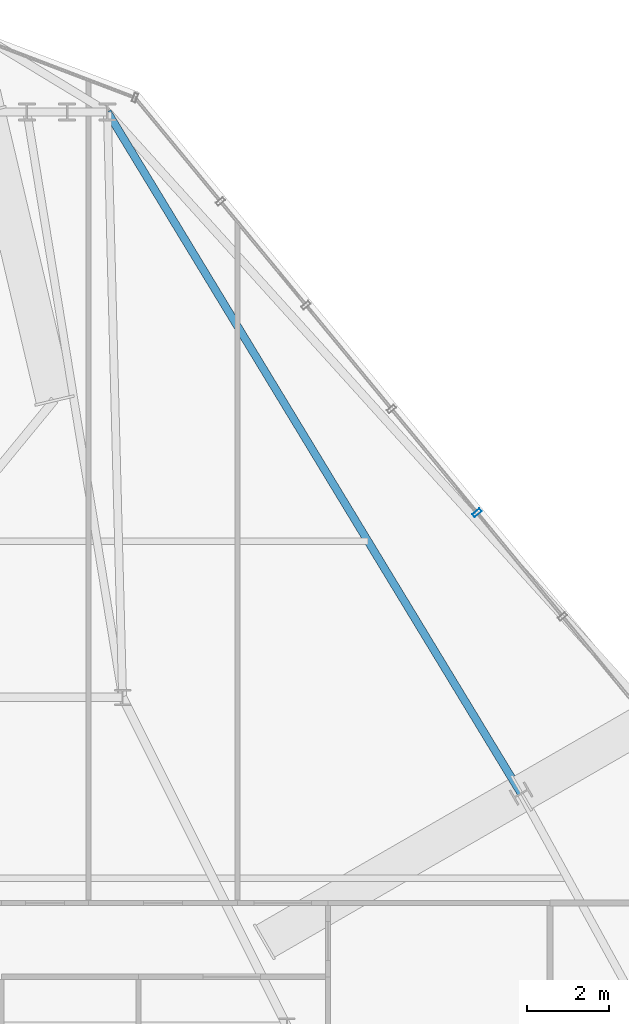
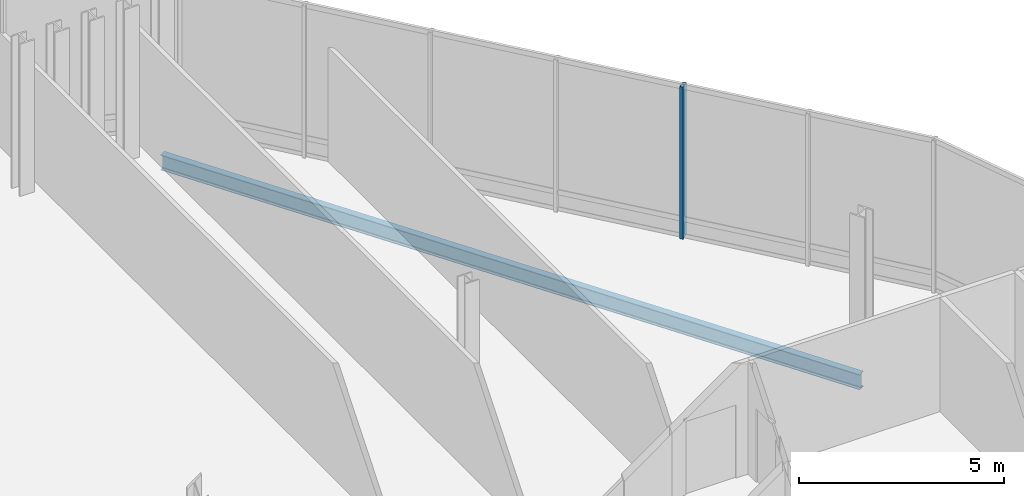
# One storey, part 19 of 29: 1 beam, 1 member, 1 element without a shape of its own.
"""IFC4 building model written with IfcOpenShell, lengths in metres."""

from ifc_helpers import new_model, si_unit, direction, frame, origin, origin_2d, place, context, subcontext, project, spatial, hollow_rectangle, i_section, extrude, material, layer, layer_set, material_profile, profile_set, type_object, element, aggregate, save


model = new_model("IFC4")

# Units and contexts
model_context = context("Model", 3, precision=1e-05, world=origin(), true_north=direction((0.0, 1.0)))
body_context = subcontext(model_context, "Body", "Model", "MODEL_VIEW")
ifc_project = project(units=[si_unit("LENGTHUNIT", "METRE"), si_unit("AREAUNIT", "SQUARE_METRE"), si_unit("VOLUMEUNIT", "CUBIC_METRE"), si_unit("PLANEANGLEUNIT", "RADIAN"), si_unit("MASSUNIT", "GRAM", prefix="KILO")], contexts=[model_context])

# Site, building, storey
site_placement = place(None, origin())
site = spatial("IfcSite", under=ifc_project, at=site_placement, CompositionType="ELEMENT")
building_placement = place(site_placement, origin())
building = spatial("IfcBuilding", under=site, at=building_placement, Name="Ndaravel Arena Tower", CompositionType="ELEMENT")
storey_placement = place(building_placement, frame((0.0, 0.0, 208.39990234375)))
storey = spatial("IfcBuildingStorey", under=building, at=storey_placement, Name="L50", CompositionType="ELEMENT", Elevation=208.39990234375)

# Beam
ifc_material_1 = material(Name="Steel S355", Category="steel")
ifc_material_profile_1 = material_profile(ifc_material_1, i_section(OverallWidth=0.18994140625, OverallDepth=0.449951171875, WebThickness=0.009521484375, FlangeThickness=0.0146484375, FilletRadius=0.02099609375, at=origin_2d()), Name="IPE 450")
ifc_profile_set_1 = profile_set([ifc_material_profile_1], Name="Steel S355")
beam_type = type_object("IfcBeamType", Name="BM-SPAN-IPE450", PredefinedType="SPANDREL", material=ifc_profile_set_1)
beam_placement = place(storey_placement, frame((55.497802734375, 28.858642578125, -0.5048828125), z_axis=(-0.518835945965, 0.854873827635, 0.0), x_axis=(-0.854873827635, -0.518835945965, 0.0)))
element("IfcBeam", 1, at=beam_placement, inside=storey, type_object=beam_type, Name="L50 Perimeter Spandrel Beam SP-10", PredefinedType="SPANDREL", context=body_context, shape_type="SweptSolid", body=[
    extrude(i_section(OverallWidth=0.18994140625, OverallDepth=0.449951171875, WebThickness=0.009521484375, FlangeThickness=0.0146484375, FilletRadius=0.02099609375, at=origin_2d()), origin(), (0.0, 0.0, 1.0), 19.40185546875),
])

# Curtain wall, member
ifc_material_2 = material(Name="Aluminium", Category="aluminium")
ifc_layer = layer(ifc_material_2, 0.179931640625)
ifc_layer_set = layer_set([ifc_layer], Name="Aluminium")
curtain_wall_type = type_object("IfcCurtainWallType", Name="CW-SYS-04", PredefinedType="NOTDEFINED", material=ifc_layer_set)
curtain_wall_placement = place(storey_placement, origin())
curtain_wall = element("IfcCurtainWall", 2, at=curtain_wall_placement, inside=storey, type_object=curtain_wall_type, Name="L50 Faceted Crystal Curtain Wall CW-L50-E07", PredefinedType="NOTDEFINED")
ifc_material_3 = material(Name="Aluminium", Category="aluminium")
ifc_material_profile_2 = material_profile(ifc_material_3, hollow_rectangle(XDim=0.090087890625, YDim=0.219970703125, WallThickness=0.0048828125, at=origin_2d()), Name="CW MULLION 90x220x5")
ifc_profile_set_2 = profile_set([ifc_material_profile_2], Name="Aluminium")
member_type = type_object("IfcMemberType", Name="MEM-CW-MUL220", PredefinedType="MULLION", material=ifc_profile_set_2)
member_placement = place(storey_placement, frame((54.42578125, 35.69189453125, 0.0), z_axis=(0.0, 0.0, 1.0), x_axis=(-0.636024349169, 0.771668988144, 0.0)))
member = element("IfcMember", 3, at=member_placement, type_object=member_type, Name="CW-L50-E07 Mullion 02", PredefinedType="MULLION", context=body_context, shape_type="SweptSolid", body=[
    extrude(hollow_rectangle(XDim=0.090087890625, YDim=0.219970703125, WallThickness=0.0048828125, at=origin_2d()), origin(), (0.0, 0.0, 1.0), 4.52001953125),
])
aggregate(curtain_wall, [member])

save(model, "model.ifc")
